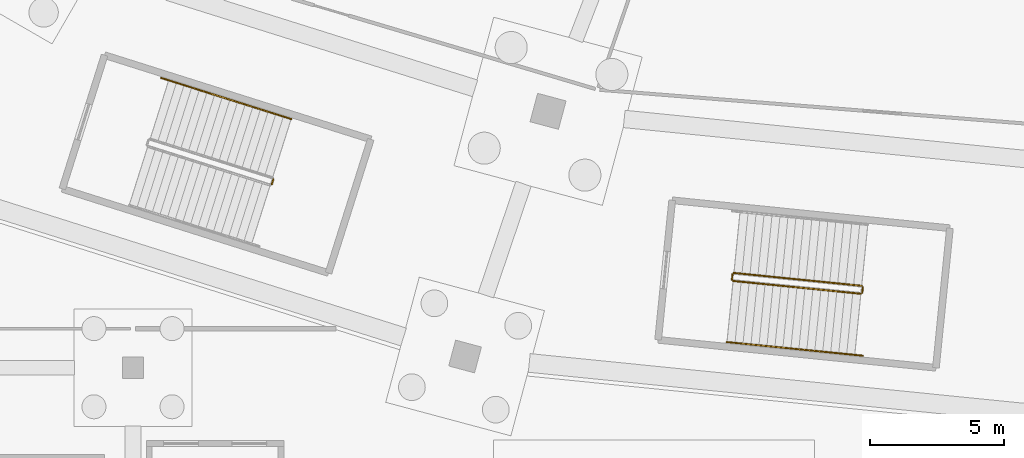
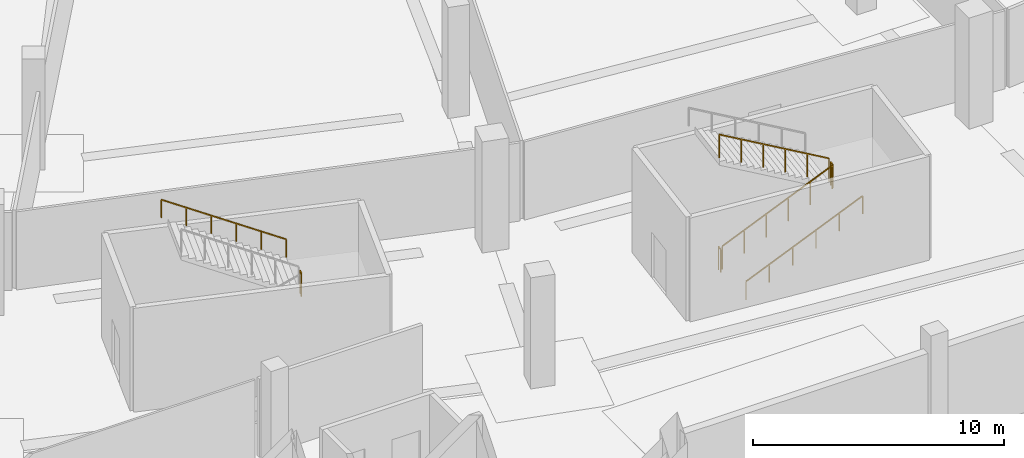
# One storey, part 56 of 74: 7 railings.
"""IFC4 building model written with IfcOpenShell, lengths in metres."""

from ifc_helpers import new_model, si_unit, direction, frame, origin, origin_2d, place, context, subcontext, project, spatial, rectangle, extrude, material, type_object, element, save


model = new_model("IFC4")

# Units and contexts
model_context = context("Model", 3, precision=1e-05, world=origin(), true_north=direction((0.0, 1.0)))
body_context = subcontext(model_context, "Body", "Model", "MODEL_VIEW")
ifc_project = project(units=[si_unit("LENGTHUNIT", "METRE"), si_unit("AREAUNIT", "SQUARE_METRE"), si_unit("VOLUMEUNIT", "CUBIC_METRE"), si_unit("PLANEANGLEUNIT", "RADIAN"), si_unit("MASSUNIT", "GRAM", prefix="KILO")], contexts=[model_context])

# Site, building, storey
site_placement = place(None, origin())
site = spatial("IfcSite", under=ifc_project, at=site_placement, CompositionType="ELEMENT")
building_placement = place(site_placement, origin())
building = spatial("IfcBuilding", under=site, at=building_placement, Name="Zlatoyarsky Gate Stadium", CompositionType="ELEMENT")
storey_placement = place(building_placement, frame((0.0, 0.0, -5.39990234375)))
storey = spatial("IfcBuildingStorey", under=building, at=storey_placement, Name="B1", CompositionType="ELEMENT", Elevation=-5.39990234375)

# Railings
ifc_material_1 = material(Name="Powder-coated steel stair guardrail", Category="steel")
railing_type_1 = type_object("IfcRailingType", Name="PAINTED STEEL STAIR WELL GUARDRAIL 1150", PredefinedType="GUARDRAIL", material=ifc_material_1)
railing_1_placement = place(storey_placement, frame((79.694580078125, 17.86181640625, 2.699951171875)))
element("IfcRailing", 1, at=railing_1_placement, inside=storey, type_object=railing_type_1, Name="ST-09 B1 stair guard 2", PredefinedType="GUARDRAIL", context=body_context, shape_type="SweptSolid", body=[
    extrude(rectangle(XDim=0.048095703125, YDim=0.048095703125, at=origin_2d()), frame((0.0, 0.0, 1.1259765625), z_axis=(0.301540327315, 0.953453423615, 0.0), x_axis=(-0.953453423615, 0.301540327315, 0.0)), (0.0, 0.0, 1.0), 0.199951171875),
    extrude(rectangle(XDim=0.0419921875, YDim=0.0419921875, at=origin_2d()), origin(), (0.0, 0.0, 1.0), 1.101806640625),
    extrude(rectangle(XDim=0.0419921875, YDim=0.0419921875, at=origin_2d()), frame((0.060302734375, 0.190673828125, 0.0)), (0.0, 0.0, 1.0), 1.101806640625),
])
railing_2_placement = place(storey_placement, frame((96.96533203125, 14.247314453125, 0.15869140625)))
element("IfcRailing", 2, at=railing_2_placement, inside=storey, type_object=railing_type_1, Name="ST-19 B1 stair guard 1", PredefinedType="GUARDRAIL", context=body_context, shape_type="SweptSolid", body=[
    extrude(rectangle(XDim=0.048095703125, YDim=0.048095703125, at=origin_2d()), frame((0.0, 0.0, 1.1259765625), z_axis=(0.879359497258, -0.088371966038, 0.467885958542), x_axis=(0.099992171352, 0.994988223884, 0.0)), (0.0, 0.0, 1.0), 5.431396484375),
    extrude(rectangle(XDim=0.0419921875, YDim=0.0419921875, at=origin_2d()), origin(), (0.0, 0.0, 1.0), 1.101806640625),
    extrude(rectangle(XDim=0.0419921875, YDim=0.0419921875, at=origin_2d()), frame((0.955322265625, -0.095947265625, 0.50830078125)), (0.0, 0.0, 1.0), 1.101806640625),
    extrude(rectangle(XDim=0.0419921875, YDim=0.0419921875, at=origin_2d()), frame((1.910400390625, -0.19189453125, 1.0166015625)), (0.0, 0.0, 1.0), 1.101806640625),
    extrude(rectangle(XDim=0.0419921875, YDim=0.0419921875, at=origin_2d()), frame((2.86572265625, -0.2880859375, 1.524658203125)), (0.0, 0.0, 1.0), 1.101806640625),
    extrude(rectangle(XDim=0.0419921875, YDim=0.0419921875, at=origin_2d()), frame((3.82080078125, -0.384033203125, 2.032958984375)), (0.0, 0.0, 1.0), 1.101806640625),
    extrude(rectangle(XDim=0.0419921875, YDim=0.0419921875, at=origin_2d()), frame((4.776123046875, -0.47998046875, 2.541259765625)), (0.0, 0.0, 1.0), 1.101806640625),
])
railing_3_placement = place(storey_placement, frame((101.796142578125, 13.81201171875, 2.699951171875)))
element("IfcRailing", 3, at=railing_3_placement, inside=storey, type_object=railing_type_1, Name="ST-19 B1 stair guard 2", PredefinedType="GUARDRAIL", context=body_context, shape_type="SweptSolid", body=[
    extrude(rectangle(XDim=0.048095703125, YDim=0.048095703125, at=origin_2d()), frame((0.0, 0.0, 1.1259765625), z_axis=(0.099986617797, 0.994988781978, 0.0), x_axis=(-0.994988781978, 0.099986617797, 0.0)), (0.0, 0.0, 1.0), 0.2001953125),
    extrude(rectangle(XDim=0.0419921875, YDim=0.0419921875, at=origin_2d()), origin(), (0.0, 0.0, 1.0), 1.101806640625),
    extrude(rectangle(XDim=0.0419921875, YDim=0.0419921875, at=origin_2d()), frame((0.02001953125, 0.19921875, 0.0)), (0.0, 0.0, 1.0), 1.101806640625),
])
railing_4_placement = place(storey_placement, frame((101.771484375, 14.06591796875, 2.858642578125)))
element("IfcRailing", 4, at=railing_4_placement, inside=storey, type_object=railing_type_1, Name="ST-19 B1 stair guard 3", PredefinedType="GUARDRAIL", context=body_context, shape_type="SweptSolid", body=[
    extrude(rectangle(XDim=0.048095703125, YDim=0.048095703125, at=origin_2d()), frame((0.0, 0.0, 1.1259765625), z_axis=(-0.879359497258, 0.088371966038, 0.467885958542), x_axis=(-0.099992171352, -0.994988223884, 0.0)), (0.0, 0.0, 1.0), 5.431396484375),
    extrude(rectangle(XDim=0.0419921875, YDim=0.0419921875, at=origin_2d()), origin(), (0.0, 0.0, 1.0), 1.101806640625),
    extrude(rectangle(XDim=0.0419921875, YDim=0.0419921875, at=origin_2d()), frame((-0.955322265625, 0.095947265625, 0.50830078125)), (0.0, 0.0, 1.0), 1.101806640625),
    extrude(rectangle(XDim=0.0419921875, YDim=0.0419921875, at=origin_2d()), frame((-1.910400390625, 0.19189453125, 1.0166015625)), (0.0, 0.0, 1.0), 1.101806640625),
    extrude(rectangle(XDim=0.0419921875, YDim=0.0419921875, at=origin_2d()), frame((-2.86572265625, 0.2880859375, 1.524658203125)), (0.0, 0.0, 1.0), 1.101806640625),
    extrude(rectangle(XDim=0.0419921875, YDim=0.0419921875, at=origin_2d()), frame((-3.82080078125, 0.384033203125, 2.032958984375)), (0.0, 0.0, 1.0), 1.101806640625),
    extrude(rectangle(XDim=0.0419921875, YDim=0.0419921875, at=origin_2d()), frame((-4.776123046875, 0.47998046875, 2.541259765625)), (0.0, 0.0, 1.0), 1.101806640625),
])
railing_5_placement = place(storey_placement, frame((96.920654296875, 14.30224609375, 0.0)))
element("IfcRailing", 5, at=railing_5_placement, inside=storey, type_object=railing_type_1, Name="ST-19 B1 stair guard 4", PredefinedType="GUARDRAIL", context=body_context, shape_type="SweptSolid", body=[
    extrude(rectangle(XDim=0.048095703125, YDim=0.048095703125, at=origin_2d()), frame((0.0, 0.0, 1.1259765625), z_axis=(0.100108072026, 0.994976569531, 0.0), x_axis=(-0.994976569531, 0.100108072026, 0.0)), (0.0, 0.0, 1.0), 0.199951171875),
    extrude(rectangle(XDim=0.0419921875, YDim=0.0419921875, at=origin_2d()), origin(), (0.0, 0.0, 1.0), 1.101806640625),
    extrude(rectangle(XDim=0.0419921875, YDim=0.0419921875, at=origin_2d()), frame((0.02001953125, 0.198974609375, 0.0)), (0.0, 0.0, 1.0), 1.101806640625),
])
ifc_material_2 = material(Name="Brushed stainless steel 316 handrail", Category="steel")
railing_type_2 = type_object("IfcRailingType", Name="STAINLESS STEEL TUBULAR HANDRAIL 900", PredefinedType="HANDRAIL", material=ifc_material_2)
railing_6_placement = place(storey_placement, frame((80.415771484375, 20.30810546875, 2.86279296875)))
element("IfcRailing", 6, at=railing_6_placement, inside=storey, type_object=railing_type_2, Name="ST-09 B1 stair handrail 2", PredefinedType="HANDRAIL", context=body_context, shape_type="SweptSolid", body=[
    extrude(rectangle(XDim=0.048095703125, YDim=0.048095703125, at=origin_2d()), frame((0.0, 0.0, 0.8759765625), z_axis=(-0.842651293376, 0.266498995681, 0.46788575857), x_axis=(-0.301541441746, -0.953453071163, 0.0)), (0.0, 0.0, 1.0), 5.7705078125),
    extrude(rectangle(XDim=0.0419921875, YDim=0.0419921875, at=origin_2d()), origin(), (0.0, 0.0, 1.0), 0.851806640625),
    extrude(rectangle(XDim=0.0419921875, YDim=0.0419921875, at=origin_2d()), frame((-0.972412109375, 0.3076171875, 0.5400390625)), (0.0, 0.0, 1.0), 0.851806640625),
    extrude(rectangle(XDim=0.0419921875, YDim=0.0419921875, at=origin_2d()), frame((-1.945068359375, 0.615234375, 1.080078125)), (0.0, 0.0, 1.0), 0.851806640625),
    extrude(rectangle(XDim=0.0419921875, YDim=0.0419921875, at=origin_2d()), frame((-2.91748046875, 0.922607421875, 1.619873046875)), (0.0, 0.0, 1.0), 0.851806640625),
    extrude(rectangle(XDim=0.0419921875, YDim=0.0419921875, at=origin_2d()), frame((-3.89013671875, 1.230224609375, 2.159912109375)), (0.0, 0.0, 1.0), 0.851806640625),
    extrude(rectangle(XDim=0.0419921875, YDim=0.0419921875, at=origin_2d()), frame((-4.862548828125, 1.537841796875, 2.699951171875)), (0.0, 0.0, 1.0), 0.851806640625),
])
railing_7_placement = place(storey_placement, frame((96.7353515625, 11.958984375, 0.162841796875)))
element("IfcRailing", 7, at=railing_7_placement, inside=storey, type_object=railing_type_2, Name="ST-19 B1 stair handrail 1", PredefinedType="HANDRAIL", context=body_context, shape_type="SweptSolid", body=[
    extrude(rectangle(XDim=0.048095703125, YDim=0.048095703125, at=origin_2d()), frame((0.0, 0.0, 0.8759765625), z_axis=(0.879362283002, -0.088380457503, 0.467879118967), x_axis=(0.100001369668, 0.994987299449, 0.0)), (0.0, 0.0, 1.0), 5.7705078125),
    extrude(rectangle(XDim=0.0419921875, YDim=0.0419921875, at=origin_2d()), origin(), (0.0, 0.0, 1.0), 0.851806640625),
    extrude(rectangle(XDim=0.0419921875, YDim=0.0419921875, at=origin_2d()), frame((1.014892578125, -0.10205078125, 0.5400390625)), (0.0, 0.0, 1.0), 0.851806640625),
    extrude(rectangle(XDim=0.0419921875, YDim=0.0419921875, at=origin_2d()), frame((2.02978515625, -0.2041015625, 1.080078125)), (0.0, 0.0, 1.0), 0.851806640625),
    extrude(rectangle(XDim=0.0419921875, YDim=0.0419921875, at=origin_2d()), frame((3.044677734375, -0.305908203125, 1.619873046875)), (0.0, 0.0, 1.0), 0.851806640625),
    extrude(rectangle(XDim=0.0419921875, YDim=0.0419921875, at=origin_2d()), frame((4.0595703125, -0.407958984375, 2.159912109375)), (0.0, 0.0, 1.0), 0.851806640625),
    extrude(rectangle(XDim=0.0419921875, YDim=0.0419921875, at=origin_2d()), frame((5.074462890625, -0.510009765625, 2.699951171875)), (0.0, 0.0, 1.0), 0.851806640625),
])

save(model, "model.ifc")
